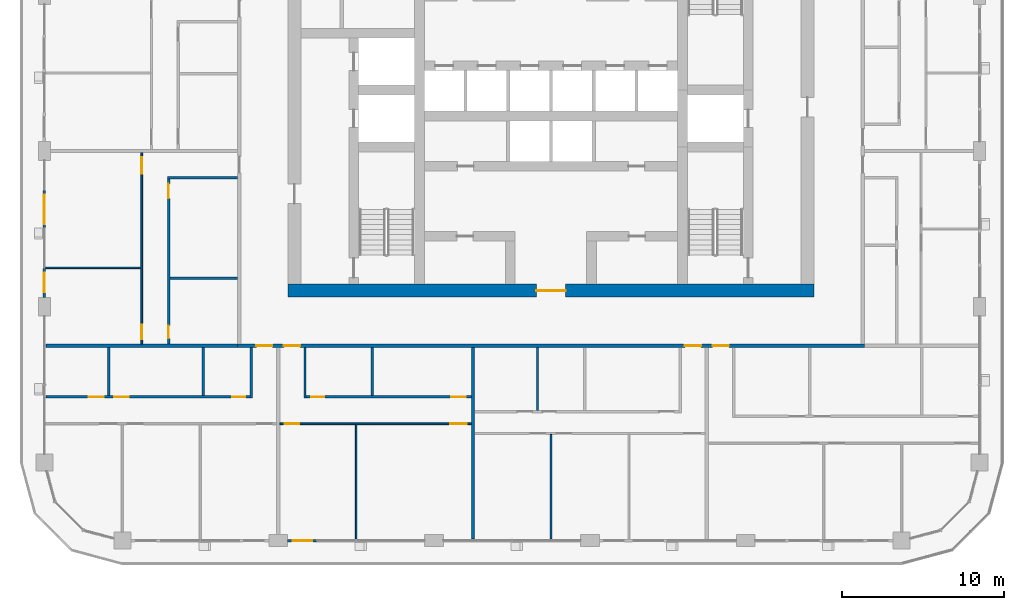
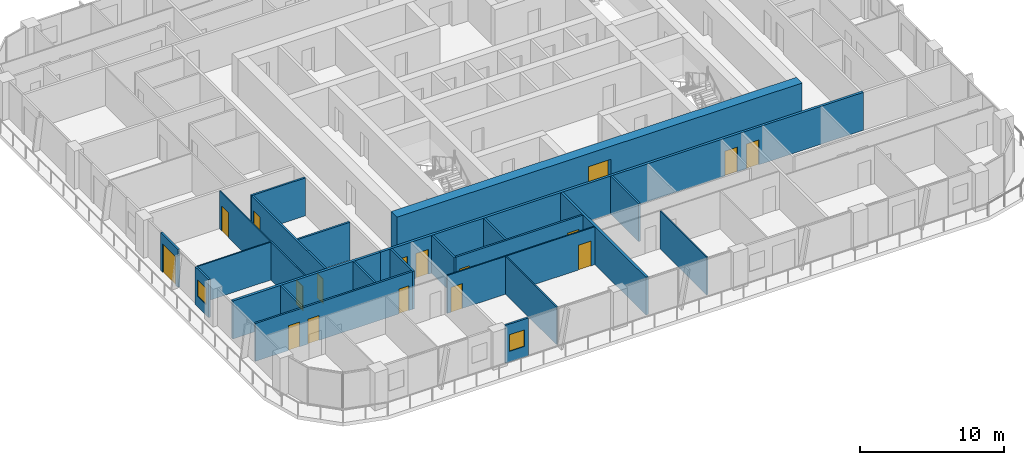
# One storey, part 9 of 22: 23 walls, 17 doors, 2 windows, 19 openings.
"""IFC4 building model written with IfcOpenShell, lengths in metres."""

from ifc_helpers import new_model, si_unit, direction, frame, frame_2d, origin, place, context, subcontext, project, spatial, rectangle, extrude, material, layer, layer_set, type_object, element, fill, save


model = new_model("IFC4")

# Units and contexts
model_context = context("Model", 3, precision=1e-05, world=origin(), true_north=direction((0.0, 1.0)))
body_context = subcontext(model_context, "Body", "Model", "MODEL_VIEW")
ifc_project = project(units=[si_unit("LENGTHUNIT", "METRE"), si_unit("AREAUNIT", "SQUARE_METRE"), si_unit("VOLUMEUNIT", "CUBIC_METRE"), si_unit("PLANEANGLEUNIT", "RADIAN"), si_unit("MASSUNIT", "GRAM", prefix="KILO")], contexts=[model_context])

# Site, building, storey
site_placement = place(None, origin())
site = spatial("IfcSite", under=ifc_project, at=site_placement, CompositionType="ELEMENT")
building_placement = place(site_placement, origin())
building = spatial("IfcBuilding", under=site, at=building_placement, Name="Madar Terraces", CompositionType="ELEMENT")
storey_placement = place(building_placement, frame((0.0, 0.0, 152.5)))
storey = spatial("IfcBuildingStorey", under=building, at=storey_placement, Name="L39", CompositionType="ELEMENT", Elevation=152.5)

# Wall, opening, door
ifc_material_1 = material(Name="Concrete C70/85", Category="concrete")
ifc_layer_1 = layer(ifc_material_1, 0.800048828125)
ifc_layer_set_1 = layer_set([ifc_layer_1], Name="Concrete C70/85 (CRW3 RC wall 800)")
wall_type_1 = type_object("IfcWallType", Name="CRW3 RC wall 800", PredefinedType="SHEAR", material=ifc_layer_set_1)
wall_1_placement = place(storey_placement, frame((15.0, 15.39990234375, 0.0), z_axis=(0.0, 0.0, 1.0), x_axis=(1.0, 0.0, 0.0)))
wall_1 = element("IfcWall", 1, at=wall_1_placement, inside=storey, type_object=wall_type_1, Name="CORE OUTER WALL", PredefinedType="SHEAR", context=body_context, shape_type="SweptSolid", body=[
    extrude(rectangle(XDim=32.39990234375, YDim=0.800048828125, at=frame_2d((16.199951171875, 0.0))), origin(), (0.0, 0.0, 1.0), 3.199951171875),
])
opening_1_placement = place(wall_1_placement, frame((15.300048828125, 0.0, 0.0)))
opening_1 = element("IfcOpeningElement", 2, at=opening_1_placement, cuts=wall_1, Name="Opening KD1", PredefinedType="OPENING", context=body_context, shape_type="SweptSolid", body=[
    extrude(rectangle(XDim=1.800048828125, YDim=2.10009765625, at=frame_2d((0.89990234375, 1.050048828125))), frame((0.0, 0.409912109375, 0.0), z_axis=(0.0, -1.0, 0.0), x_axis=(1.0, 0.0, 0.0)), (0.0, 0.0, 1.0), 0.820068359375),
])
ifc_material_2 = material(Name="Steel door leaf", Category="steel")
door_type_1 = type_object("IfcDoorType", Name="Lobby door pair 1800 x 2100", OperationType="DOUBLE_DOOR_SINGLE_SWING", PredefinedType="DOOR", material=ifc_material_2)
door_1_placement = place(opening_1_placement, frame((1.800048828125, 0.0, 0.0), z_axis=(0.0, 0.0, 1.0), x_axis=(-1.0, 0.0, 0.0)))
door_1 = element("IfcDoor", 3, at=door_1_placement, inside=storey, type_object=door_type_1, Name="LIFT LOBBY DOOR", OperationType="DOUBLE_DOOR_SINGLE_SWING", OverallHeight=2.10009765625, OverallWidth=1.800048828125, PredefinedType="DOOR", context=body_context, shape_type="SweptSolid", body=[
    extrude(rectangle(XDim=1.800048828125, YDim=2.10009765625, at=frame_2d((0.89990234375, 1.050048828125))), frame((0.0, 0.02490234375, 0.0), z_axis=(0.0, -1.0, 0.0), x_axis=(1.0, 0.0, 0.0)), (0.0, 0.0, 1.0), 0.050048828125),
])
fill(opening_1, door_1)

# Wall, opening, window
ifc_material_3 = material(Name="Aluminium composite panel, black, over insulated backing", Category="aluminium")
ifc_layer_2 = layer(ifc_material_3, 0.14990234375)
ifc_layer_set_2 = layer_set([ifc_layer_2], Name="Facade bay panel 150")
wall_type_2 = type_object("IfcWallType", Name="Facade bay panel 150", PredefinedType="SOLIDWALL", material=ifc_layer_set_2)
wall_2_placement = place(storey_placement, frame((14.97509765625, 0.0, 0.0), z_axis=(0.0, 0.0, 1.0), x_axis=(1.0, 0.0, 0.0)))
wall_2 = element("IfcWall", 4, at=wall_2_placement, inside=storey, type_object=wall_type_2, Name="Facade bay panel", PredefinedType="SOLIDWALL", context=body_context, shape_type="SweptSolid", body=[
    extrude(rectangle(XDim=1.824951171875, YDim=0.14990234375, at=frame_2d((0.91259765625, 0.0))), origin(), (0.0, 0.0, 1.0), 3.199951171875),
])
opening_2_placement = place(wall_2_placement, frame((0.3125, 0.0, 0.89990234375)))
opening_2 = element("IfcOpeningElement", 5, at=opening_2_placement, cuts=wall_2, Name="Opening W1", PredefinedType="OPENING", context=body_context, shape_type="SweptSolid", body=[
    extrude(rectangle(XDim=1.199951171875, YDim=1.39990234375, at=frame_2d((0.60009765625, 0.699951171875))), frame((0.0, 0.0849609375, 0.0), z_axis=(0.0, -1.0, 0.0), x_axis=(1.0, 0.0, 0.0)), (0.0, 0.0, 1.0), 0.169921875),
])
ifc_material_4 = material(Name="Glass, clear, with black aluminium frame", Category="aluminium")
window_type = type_object("IfcWindowType", Name="Vent window 1200 x 1400", PartitioningType="SINGLE_PANEL", PredefinedType="WINDOW", material=ifc_material_4)
window_1_placement = place(opening_2_placement, origin())
window_1 = element("IfcWindow", 6, at=window_1_placement, inside=storey, type_object=window_type, Name="Operable vent window", OverallHeight=1.39990234375, OverallWidth=1.199951171875, PartitioningType="SINGLE_PANEL", PredefinedType="WINDOW", context=body_context, shape_type="SweptSolid", body=[
    extrude(rectangle(XDim=1.199951171875, YDim=1.39990234375, at=frame_2d((0.60009765625, 0.699951171875))), frame((0.0, 0.030029296875, 0.0), z_axis=(0.0, -1.0, 0.0), x_axis=(1.0, 0.0, 0.0)), (0.0, 0.0, 1.0), 0.06005859375),
])
fill(opening_2, window_1)

# Wall, opening, door
wall_3_placement = place(storey_placement, frame((0.0, 21.60009765625, 0.0), z_axis=(0.0, 0.0, 1.0), x_axis=(0.0, -1.0, 0.0)))
wall_3 = element("IfcWall", 7, at=wall_3_placement, inside=storey, type_object=wall_type_2, Name="Facade bay panel", PredefinedType="SOLIDWALL", context=body_context, shape_type="SweptSolid", body=[
    extrude(rectangle(XDim=2.400146484375, YDim=0.14990234375, at=frame_2d((1.2001953125, 0.0))), origin(), (0.0, 0.0, 1.0), 3.199951171875),
])
opening_3_placement = place(wall_3_placement, frame((0.300048828125, 0.0, 0.0)))
opening_3 = element("IfcOpeningElement", 8, at=opening_3_placement, cuts=wall_3, Name="Opening ED1", PredefinedType="OPENING", context=body_context, shape_type="SweptSolid", body=[
    extrude(rectangle(XDim=1.800048828125, YDim=2.39990234375, at=frame_2d((0.89990234375, 1.199951171875))), frame((0.0, 0.0849609375, 0.0), z_axis=(0.0, -1.0, 0.0), x_axis=(1.0, 0.0, 0.0)), (0.0, 0.0, 1.0), 0.169921875),
])
ifc_material_5 = material(Name="Glass, clear, with black aluminium frame", Category="aluminium")
door_type_2 = type_object("IfcDoorType", Name="Balcony and terrace sliding door 1800 x 2400", OperationType="SLIDING_TO_LEFT", PredefinedType="DOOR", material=ifc_material_5)
door_2_placement = place(opening_3_placement, origin())
door_2 = element("IfcDoor", 9, at=door_2_placement, inside=storey, type_object=door_type_2, Name="Balcony door", OperationType="SLIDING_TO_LEFT", OverallHeight=2.39990234375, OverallWidth=1.800048828125, PredefinedType="DOOR", context=body_context, shape_type="SweptSolid", body=[
    extrude(rectangle(XDim=1.800048828125, YDim=2.39990234375, at=frame_2d((0.89990234375, 1.199951171875))), frame((0.0, 0.02490234375, 0.0), z_axis=(0.0, -1.0, 0.0), x_axis=(1.0, 0.0, 0.0)), (0.0, 0.0, 1.0), 0.050048828125),
])
fill(opening_3, door_2)

# Wall, opening, window
wall_4_placement = place(storey_placement, frame((0.0, 16.800048828125, 0.0), z_axis=(0.0, 0.0, 1.0), x_axis=(0.0, -1.0, 0.0)))
wall_4 = element("IfcWall", 10, at=wall_4_placement, inside=storey, type_object=wall_type_2, Name="Facade bay panel", PredefinedType="SOLIDWALL", context=body_context, shape_type="SweptSolid", body=[
    extrude(rectangle(XDim=1.824951171875, YDim=0.14990234375, at=frame_2d((0.91259765625, 0.0))), origin(), (0.0, 0.0, 1.0), 3.199951171875),
])
opening_4_placement = place(wall_4_placement, frame((0.3125, 0.0, 0.89990234375)))
opening_4 = element("IfcOpeningElement", 11, at=opening_4_placement, cuts=wall_4, Name="Opening W1", PredefinedType="OPENING", context=body_context, shape_type="SweptSolid", body=[
    extrude(rectangle(XDim=1.199951171875, YDim=1.39990234375, at=frame_2d((0.60009765625, 0.699951171875))), frame((0.0, 0.0849609375, 0.0), z_axis=(0.0, -1.0, 0.0), x_axis=(1.0, 0.0, 0.0)), (0.0, 0.0, 1.0), 0.169921875),
])
window_2_placement = place(opening_4_placement, origin())
window_2 = element("IfcWindow", 12, at=window_2_placement, inside=storey, type_object=window_type, Name="Operable vent window", OverallHeight=1.39990234375, OverallWidth=1.199951171875, PartitioningType="SINGLE_PANEL", PredefinedType="WINDOW", context=body_context, shape_type="SweptSolid", body=[
    extrude(rectangle(XDim=1.199951171875, YDim=1.39990234375, at=frame_2d((0.60009765625, 0.699951171875))), frame((0.0, 0.030029296875, 0.0), z_axis=(0.0, -1.0, 0.0), x_axis=(1.0, 0.0, 0.0)), (0.0, 0.0, 1.0), 0.06005859375),
])
fill(opening_4, window_2)

# Wall
ifc_material_6 = material(Name="Gypsum board on steel studs", Category="steel")
ifc_layer_3 = layer(ifc_material_6, 0.10009765625)
ifc_layer_set_3 = layer_set([ifc_layer_3], Name="Flat partition 100")
wall_type_3 = type_object("IfcWallType", Name="Flat partition 100", PredefinedType="PARTITIONING", material=ifc_layer_set_3)
wall_5_placement = place(storey_placement, frame((19.199951171875, 7.14990234375, 0.0), z_axis=(0.0, 0.0, 1.0), x_axis=(0.0, -1.0, 0.0)))
element("IfcWall", 13, at=wall_5_placement, inside=storey, type_object=wall_type_3, Name="Flat partition 100", PredefinedType="PARTITIONING", context=body_context, shape_type="SweptSolid", body=[
    extrude(rectangle(XDim=7.0498046875, YDim=0.10009765625, at=frame_2d((3.52490234375, 0.0))), origin(), (0.0, 0.0, 1.0), 3.199951171875),
])

# Wall, openings, doors
wall_6_placement = place(storey_placement, frame((26.300048828125, 7.199951171875, 0.0), z_axis=(0.0, 0.0, 1.0), x_axis=(-1.0, 0.0, 0.0)))
wall_6 = element("IfcWall", 14, at=wall_6_placement, inside=storey, type_object=wall_type_3, Name="Flat partition 100", PredefinedType="PARTITIONING", context=body_context, shape_type="SweptSolid", body=[
    extrude(rectangle(XDim=11.800048828125, YDim=0.10009765625, at=frame_2d((5.89990234375, 0.0))), origin(), (0.0, 0.0, 1.0), 3.199951171875),
])
opening_5_placement = place(wall_6_placement, frame((10.60009765625, 0.0, 0.0)))
opening_5 = element("IfcOpeningElement", 15, at=opening_5_placement, cuts=wall_6, Name="Opening D2", PredefinedType="OPENING", context=body_context, shape_type="SweptSolid", body=[
    extrude(rectangle(XDim=0.89990234375, YDim=2.10009765625, at=frame_2d((0.449951171875, 1.050048828125))), frame((0.0, 0.06005859375, 0.0), z_axis=(0.0, -1.0, 0.0), x_axis=(1.0, 0.0, 0.0)), (0.0, 0.0, 1.0), 0.1201171875),
])
opening_6_placement = place(wall_6_placement, frame((0.300048828125, 0.0, 0.0)))
opening_6 = element("IfcOpeningElement", 16, at=opening_6_placement, cuts=wall_6, Name="Opening D3", PredefinedType="OPENING", context=body_context, shape_type="SweptSolid", body=[
    extrude(rectangle(XDim=1.0, YDim=2.10009765625, at=frame_2d((0.5, 1.050048828125))), frame((0.0, 0.06005859375, 0.0), z_axis=(0.0, -1.0, 0.0), x_axis=(1.0, 0.0, 0.0)), (0.0, 0.0, 1.0), 0.1201171875),
])
ifc_material_7 = material(Name="Timber door leaf", Category="wood")
door_type_3 = type_object("IfcDoorType", Name="Flat living room door 1000", OperationType="NOTDEFINED", PredefinedType="DOOR", material=ifc_material_7)
door_3_placement = place(opening_6_placement, origin())
door_3 = element("IfcDoor", 17, at=door_3_placement, inside=storey, type_object=door_type_3, Name="Flat living room door 1000", OperationType="SINGLE_SWING_LEFT", OverallHeight=2.10009765625, OverallWidth=1.0, PredefinedType="DOOR", context=body_context, shape_type="SweptSolid", body=[
    extrude(rectangle(XDim=1.0, YDim=2.10009765625, at=frame_2d((0.5, 1.050048828125))), frame((0.0, 0.02490234375, 0.0), z_axis=(0.0, -1.0, 0.0), x_axis=(1.0, 0.0, 0.0)), (0.0, 0.0, 1.0), 0.050048828125),
])
fill(opening_6, door_3)
ifc_material_8 = material(Name="Timber door leaf", Category="wood")
door_type_4 = type_object("IfcDoorType", Name="Flat room door 900", OperationType="NOTDEFINED", PredefinedType="DOOR", material=ifc_material_8)
door_4_placement = place(opening_5_placement, origin())
door_4 = element("IfcDoor", 18, at=door_4_placement, inside=storey, type_object=door_type_4, Name="Flat room door 900", OperationType="SINGLE_SWING_RIGHT", OverallHeight=2.10009765625, OverallWidth=0.89990234375, PredefinedType="DOOR", context=body_context, shape_type="SweptSolid", body=[
    extrude(rectangle(XDim=0.89990234375, YDim=2.10009765625, at=frame_2d((0.449951171875, 1.050048828125))), frame((0.0, 0.02490234375, 0.0), z_axis=(0.0, -1.0, 0.0), x_axis=(1.0, 0.0, 0.0)), (0.0, 0.0, 1.0), 0.050048828125),
])
fill(opening_5, door_4)

# Walls
wall_7_placement = place(storey_placement, frame((31.199951171875, 6.550048828125, 0.0), z_axis=(0.0, 0.0, 1.0), x_axis=(0.0, -1.0, 0.0)))
element("IfcWall", 19, at=wall_7_placement, inside=storey, type_object=wall_type_3, Name="Flat partition 100", PredefinedType="PARTITIONING", context=body_context, shape_type="SweptSolid", body=[
    extrude(rectangle(XDim=6.449951171875, YDim=0.10009765625, at=frame_2d((3.22509765625, 0.0))), origin(), (0.0, 0.0, 1.0), 3.199951171875),
])
wall_8_placement = place(storey_placement, frame((5.949951171875, 16.800048828125, 0.0), z_axis=(0.0, 0.0, 1.0), x_axis=(-1.0, 0.0, 0.0)))
element("IfcWall", 20, at=wall_8_placement, inside=storey, type_object=wall_type_3, Name="Flat partition 100", PredefinedType="PARTITIONING", context=body_context, shape_type="SweptSolid", body=[
    extrude(rectangle(XDim=5.849853515625, YDim=0.10009765625, at=frame_2d((2.9248046875, 0.0))), origin(), (0.0, 0.0, 1.0), 3.199951171875),
])

# Wall, openings, doors
wall_9_placement = place(storey_placement, frame((6.0, 12.10009765625, 0.0), z_axis=(0.0, 0.0, 1.0), x_axis=(0.0, 1.0, 0.0)))
wall_9 = element("IfcWall", 21, at=wall_9_placement, inside=storey, type_object=wall_type_3, Name="Flat partition 100", PredefinedType="PARTITIONING", context=body_context, shape_type="SweptSolid", body=[
    extrude(rectangle(XDim=11.7998046875, YDim=0.10009765625, at=frame_2d((5.89990234375, 0.0))), origin(), (0.0, 0.0, 1.0), 3.199951171875),
])
opening_7_placement = place(wall_9_placement, frame((10.5, 0.0, 0.0)))
opening_7 = element("IfcOpeningElement", 22, at=opening_7_placement, cuts=wall_9, Name="Opening D3", PredefinedType="OPENING", context=body_context, shape_type="SweptSolid", body=[
    extrude(rectangle(XDim=1.0, YDim=2.10009765625, at=frame_2d((0.5, 1.050048828125))), frame((0.0, 0.06005859375, 0.0), z_axis=(0.0, -1.0, 0.0), x_axis=(1.0, 0.0, 0.0)), (0.0, 0.0, 1.0), 0.1201171875),
])
opening_8_placement = place(wall_9_placement, frame((0.300048828125, 0.0, 0.0)))
opening_8 = element("IfcOpeningElement", 23, at=opening_8_placement, cuts=wall_9, Name="Opening D2", PredefinedType="OPENING", context=body_context, shape_type="SweptSolid", body=[
    extrude(rectangle(XDim=0.89990234375, YDim=2.10009765625, at=frame_2d((0.449951171875, 1.050048828125))), frame((0.0, 0.06005859375, 0.0), z_axis=(0.0, -1.0, 0.0), x_axis=(1.0, 0.0, 0.0)), (0.0, 0.0, 1.0), 0.1201171875),
])
door_5_placement = place(opening_7_placement, origin())
door_5 = element("IfcDoor", 24, at=door_5_placement, inside=storey, type_object=door_type_3, Name="Flat living room door 1000", OperationType="SINGLE_SWING_RIGHT", OverallHeight=2.10009765625, OverallWidth=1.0, PredefinedType="DOOR", context=body_context, shape_type="SweptSolid", body=[
    extrude(rectangle(XDim=1.0, YDim=2.10009765625, at=frame_2d((0.5, 1.050048828125))), frame((0.0, 0.02490234375, 0.0), z_axis=(0.0, -1.0, 0.0), x_axis=(1.0, 0.0, 0.0)), (0.0, 0.0, 1.0), 0.050048828125),
])
fill(opening_7, door_5)
door_6_placement = place(opening_8_placement, origin())
door_6 = element("IfcDoor", 25, at=door_6_placement, inside=storey, type_object=door_type_4, Name="Flat room door 900", OperationType="SINGLE_SWING_LEFT", OverallHeight=2.10009765625, OverallWidth=0.89990234375, PredefinedType="DOOR", context=body_context, shape_type="SweptSolid", body=[
    extrude(rectangle(XDim=0.89990234375, YDim=2.10009765625, at=frame_2d((0.449951171875, 1.050048828125))), frame((0.0, 0.02490234375, 0.0), z_axis=(0.0, -1.0, 0.0), x_axis=(1.0, 0.0, 0.0)), (0.0, 0.0, 1.0), 0.050048828125),
])
fill(opening_8, door_6)

ifc_material_9 = material(Name="Lightweight blockwork", Category="masonry")
ifc_layer_4 = layer(ifc_material_9, 0.199951171875)
ifc_layer_set_4 = layer_set([ifc_layer_4], Name="Flat party and entrance wall 200")
wall_type_4 = type_object("IfcWallType", Name="Flat party and entrance wall 200", PredefinedType="PARTITIONING", material=ifc_layer_set_4)
wall_10_placement = place(storey_placement, frame((50.5, 12.0, 0.0), z_axis=(0.0, 0.0, 1.0), x_axis=(-1.0, 0.0, 0.0)))
wall_10 = element("IfcWall", 26, at=wall_10_placement, inside=storey, type_object=wall_type_4, Name="Flat party and entrance wall 200", PredefinedType="PARTITIONING", context=body_context, shape_type="SweptSolid", body=[
    extrude(rectangle(XDim=38.60009765625, YDim=0.199951171875, at=frame_2d((19.300048828125, 0.0))), origin(), (0.0, 0.0, 1.0), 3.199951171875),
])
opening_9_placement = place(wall_10_placement, frame((36.449951171875, 0.0, 0.0)))
opening_9 = element("IfcOpeningElement", 27, at=opening_9_placement, cuts=wall_10, Name="Opening D1", PredefinedType="OPENING", context=body_context, shape_type="SweptSolid", body=[
    extrude(rectangle(XDim=1.0, YDim=2.10009765625, at=frame_2d((0.5, 1.050048828125))), frame((0.0, 0.10986328125, 0.0), z_axis=(0.0, -1.0, 0.0), x_axis=(1.0, 0.0, 0.0)), (0.0, 0.0, 1.0), 0.219970703125),
])
opening_10_placement = place(wall_10_placement, frame((34.75, 0.0, 0.0)))
opening_10 = element("IfcOpeningElement", 28, at=opening_10_placement, cuts=wall_10, Name="Opening D1", PredefinedType="OPENING", context=body_context, shape_type="SweptSolid", body=[
    extrude(rectangle(XDim=1.0, YDim=2.10009765625, at=frame_2d((0.5, 1.050048828125))), frame((0.0, 0.10986328125, 0.0), z_axis=(0.0, -1.0, 0.0), x_axis=(1.0, 0.0, 0.0)), (0.0, 0.0, 1.0), 0.219970703125),
])
opening_11_placement = place(wall_10_placement, frame((10.050048828125, 0.0, 0.0)))
opening_11 = element("IfcOpeningElement", 29, at=opening_11_placement, cuts=wall_10, Name="Opening D1", PredefinedType="OPENING", context=body_context, shape_type="SweptSolid", body=[
    extrude(rectangle(XDim=1.0, YDim=2.10009765625, at=frame_2d((0.5, 1.050048828125))), frame((0.0, 0.10986328125, 0.0), z_axis=(0.0, -1.0, 0.0), x_axis=(1.0, 0.0, 0.0)), (0.0, 0.0, 1.0), 0.219970703125),
])
opening_12_placement = place(wall_10_placement, frame((8.35009765625, 0.0, 0.0)))
opening_12 = element("IfcOpeningElement", 30, at=opening_12_placement, cuts=wall_10, Name="Opening D1", PredefinedType="OPENING", context=body_context, shape_type="SweptSolid", body=[
    extrude(rectangle(XDim=1.0, YDim=2.10009765625, at=frame_2d((0.5, 1.050048828125))), frame((0.0, 0.10986328125, 0.0), z_axis=(0.0, -1.0, 0.0), x_axis=(1.0, 0.0, 0.0)), (0.0, 0.0, 1.0), 0.219970703125),
])
ifc_material_10 = material(Name="Timber fire door leaf", Category="wood")
door_type_5 = type_object("IfcDoorType", Name="Flat entrance door 1000 FD30S", OperationType="NOTDEFINED", PredefinedType="DOOR", material=ifc_material_10)
door_7_placement = place(opening_9_placement, origin())
door_7 = element("IfcDoor", 31, at=door_7_placement, inside=storey, type_object=door_type_5, Name="Flat entrance door 1000 FD30S", OperationType="SINGLE_SWING_LEFT", OverallHeight=2.10009765625, OverallWidth=1.0, PredefinedType="DOOR", context=body_context, shape_type="SweptSolid", body=[
    extrude(rectangle(XDim=1.0, YDim=2.10009765625, at=frame_2d((0.5, 1.050048828125))), frame((0.0, 0.02490234375, 0.0), z_axis=(0.0, -1.0, 0.0), x_axis=(1.0, 0.0, 0.0)), (0.0, 0.0, 1.0), 0.050048828125),
])
fill(opening_9, door_7)
door_8_placement = place(opening_10_placement, origin())
door_8 = element("IfcDoor", 32, at=door_8_placement, inside=storey, type_object=door_type_5, Name="Flat entrance door 1000 FD30S", OperationType="SINGLE_SWING_RIGHT", OverallHeight=2.10009765625, OverallWidth=1.0, PredefinedType="DOOR", context=body_context, shape_type="SweptSolid", body=[
    extrude(rectangle(XDim=1.0, YDim=2.10009765625, at=frame_2d((0.5, 1.050048828125))), frame((0.0, 0.02490234375, 0.0), z_axis=(0.0, -1.0, 0.0), x_axis=(1.0, 0.0, 0.0)), (0.0, 0.0, 1.0), 0.050048828125),
])
fill(opening_10, door_8)
door_9_placement = place(opening_11_placement, origin())
door_9 = element("IfcDoor", 33, at=door_9_placement, inside=storey, type_object=door_type_5, Name="Flat entrance door 1000 FD30S", OperationType="SINGLE_SWING_LEFT", OverallHeight=2.10009765625, OverallWidth=1.0, PredefinedType="DOOR", context=body_context, shape_type="SweptSolid", body=[
    extrude(rectangle(XDim=1.0, YDim=2.10009765625, at=frame_2d((0.5, 1.050048828125))), frame((0.0, 0.02490234375, 0.0), z_axis=(0.0, -1.0, 0.0), x_axis=(1.0, 0.0, 0.0)), (0.0, 0.0, 1.0), 0.050048828125),
])
fill(opening_11, door_9)
door_10_placement = place(opening_12_placement, origin())
door_10 = element("IfcDoor", 34, at=door_10_placement, inside=storey, type_object=door_type_5, Name="Flat entrance door 1000 FD30S", OperationType="SINGLE_SWING_RIGHT", OverallHeight=2.10009765625, OverallWidth=1.0, PredefinedType="DOOR", context=body_context, shape_type="SweptSolid", body=[
    extrude(rectangle(XDim=1.0, YDim=2.10009765625, at=frame_2d((0.5, 1.050048828125))), frame((0.0, 0.02490234375, 0.0), z_axis=(0.0, -1.0, 0.0), x_axis=(1.0, 0.0, 0.0)), (0.0, 0.0, 1.0), 0.050048828125),
])
fill(opening_12, door_10)

# Walls
for number, where, z_axis, x_axis, name in (
    (35, (0.10009765625, 12.0, 0.0), (0.0, 0.0, 1.0), (1.0, 0.0, 0.0), "Flat party and entrance wall 200"),
    (36, (26.39990234375, 11.89990234375, 0.0), (0.0, 0.0, 1.0), (0.0, -1.0, 0.0), "Flat party and entrance wall 200"),
):
    element("IfcWall", number, at=place(storey_placement, frame(where, z_axis=z_axis, x_axis=x_axis)), inside=storey, type_object=wall_type_4, Name=name, PredefinedType="PARTITIONING", context=body_context, shape_type="SweptSolid", body=[
        extrude(rectangle(XDim=11.7998046875, YDim=0.199951171875, at=frame_2d((5.89990234375, 0.0))), origin(), (0.0, 0.0, 1.0), 3.199951171875),
    ])
ifc_material_11 = material(Name="Lightweight blockwork", Category="masonry")
ifc_layer_5 = layer(ifc_material_11, 0.14990234375)
ifc_layer_set_5 = layer_set([ifc_layer_5], Name="Flat wet-room partition 150")
wall_type_5 = type_object("IfcWallType", Name="Flat wet-room partition 150", PredefinedType="PARTITIONING", material=ifc_layer_set_5)
for number, where, z_axis, x_axis, name in (
    (37, (9.773193359375, 11.89990234375, 0.0), (0.0, 0.0, 1.0), (0.0, -1.0, 0.0), "Flat wet-room partition 150"),
    (38, (3.96923828125, 11.89990234375, 0.0), (0.0, 0.0, 1.0), (0.0, -1.0, 0.0), "Flat wet-room partition 150"),
):
    element("IfcWall", number, at=place(storey_placement, frame(where, z_axis=z_axis, x_axis=x_axis)), inside=storey, type_object=wall_type_5, Name=name, PredefinedType="PARTITIONING", context=body_context, shape_type="SweptSolid", body=[
        extrude(rectangle(XDim=2.974853515625, YDim=0.14990234375, at=frame_2d((1.4873046875, 0.0))), origin(), (0.0, 0.0, 1.0), 3.199951171875),
    ])
wall_11_placement = place(storey_placement, frame((12.75, 11.89990234375, 0.0), z_axis=(0.0, 0.0, 1.0), x_axis=(0.0, -1.0, 0.0)))
element("IfcWall", 39, at=wall_11_placement, inside=storey, type_object=wall_type_5, Name="Flat wet-room partition 150", PredefinedType="PARTITIONING", context=body_context, shape_type="SweptSolid", body=[
    extrude(rectangle(XDim=3.125, YDim=0.14990234375, at=frame_2d((1.5625, 0.0))), origin(), (0.0, 0.0, 1.0), 3.199951171875),
])

# Wall, openings, doors
wall_12_placement = place(storey_placement, frame((0.10009765625, 8.85009765625, 0.0), z_axis=(0.0, 0.0, 1.0), x_axis=(1.0, 0.0, 0.0)))
wall_12 = element("IfcWall", 40, at=wall_12_placement, inside=storey, type_object=wall_type_5, Name="Flat wet-room partition 150", PredefinedType="PARTITIONING", context=body_context, shape_type="SweptSolid", body=[
    extrude(rectangle(XDim=12.574951171875, YDim=0.14990234375, at=frame_2d((6.28759765625, 0.0))), origin(), (0.0, 0.0, 1.0), 3.199951171875),
])
opening_13_placement = place(wall_12_placement, frame((11.47509765625, 0.0, 0.0)))
opening_13 = element("IfcOpeningElement", 41, at=opening_13_placement, cuts=wall_12, Name="Opening D4", PredefinedType="OPENING", context=body_context, shape_type="SweptSolid", body=[
    extrude(rectangle(XDim=0.800048828125, YDim=2.10009765625, at=frame_2d((0.39990234375, 1.050048828125))), frame((0.0, 0.0849609375, 0.0), z_axis=(0.0, -1.0, 0.0), x_axis=(1.0, 0.0, 0.0)), (0.0, 0.0, 1.0), 0.169921875),
])
opening_14_placement = place(wall_12_placement, frame((4.1943359375, 0.0, 0.0)))
opening_14 = element("IfcOpeningElement", 42, at=opening_14_placement, cuts=wall_12, Name="Opening D2", PredefinedType="OPENING", context=body_context, shape_type="SweptSolid", body=[
    extrude(rectangle(XDim=0.89990234375, YDim=2.10009765625, at=frame_2d((0.449951171875, 1.050048828125))), frame((0.0, 0.0849609375, 0.0), z_axis=(0.0, -1.0, 0.0), x_axis=(1.0, 0.0, 0.0)), (0.0, 0.0, 1.0), 0.169921875),
])
opening_15_placement = place(wall_12_placement, frame((2.644287109375, 0.0, 0.0)))
opening_15 = element("IfcOpeningElement", 43, at=opening_15_placement, cuts=wall_12, Name="Opening D5", PredefinedType="OPENING", context=body_context, shape_type="SweptSolid", body=[
    extrude(rectangle(XDim=0.89990234375, YDim=2.10009765625, at=frame_2d((0.449951171875, 1.050048828125))), frame((0.0, 0.0849609375, 0.0), z_axis=(0.0, -1.0, 0.0), x_axis=(1.0, 0.0, 0.0)), (0.0, 0.0, 1.0), 0.169921875),
])
ifc_material_12 = material(Name="Timber door leaf", Category="wood")
door_type_6 = type_object("IfcDoorType", Name="Flat accessible bathroom door 900", OperationType="NOTDEFINED", PredefinedType="DOOR", material=ifc_material_12)
door_11_placement = place(opening_15_placement, origin())
door_11 = element("IfcDoor", 44, at=door_11_placement, inside=storey, type_object=door_type_6, Name="Flat accessible bathroom door 900", OperationType="SINGLE_SWING_RIGHT", OverallHeight=2.10009765625, OverallWidth=0.89990234375, PredefinedType="DOOR", context=body_context, shape_type="SweptSolid", body=[
    extrude(rectangle(XDim=0.89990234375, YDim=2.10009765625, at=frame_2d((0.449951171875, 1.050048828125))), frame((0.0, 0.02490234375, 0.0), z_axis=(0.0, -1.0, 0.0), x_axis=(1.0, 0.0, 0.0)), (0.0, 0.0, 1.0), 0.050048828125),
])
fill(opening_15, door_11)
ifc_material_13 = material(Name="Timber door leaf", Category="wood")
door_type_7 = type_object("IfcDoorType", Name="Flat bathroom door 800", OperationType="NOTDEFINED", PredefinedType="DOOR", material=ifc_material_13)
door_12_placement = place(opening_13_placement, origin())
door_12 = element("IfcDoor", 45, at=door_12_placement, inside=storey, type_object=door_type_7, Name="Flat bathroom door 800", OperationType="SINGLE_SWING_RIGHT", OverallHeight=2.10009765625, OverallWidth=0.800048828125, PredefinedType="DOOR", context=body_context, shape_type="SweptSolid", body=[
    extrude(rectangle(XDim=0.800048828125, YDim=2.10009765625, at=frame_2d((0.39990234375, 1.050048828125))), frame((0.0, 0.02490234375, 0.0), z_axis=(0.0, -1.0, 0.0), x_axis=(1.0, 0.0, 0.0)), (0.0, 0.0, 1.0), 0.050048828125),
])
fill(opening_13, door_12)
door_13_placement = place(opening_14_placement, origin())
door_13 = element("IfcDoor", 46, at=door_13_placement, inside=storey, type_object=door_type_4, Name="Flat room door 900", OperationType="SINGLE_SWING_LEFT", OverallHeight=2.10009765625, OverallWidth=0.89990234375, PredefinedType="DOOR", context=body_context, shape_type="SweptSolid", body=[
    extrude(rectangle(XDim=0.89990234375, YDim=2.10009765625, at=frame_2d((0.449951171875, 1.050048828125))), frame((0.0, 0.02490234375, 0.0), z_axis=(0.0, -1.0, 0.0), x_axis=(1.0, 0.0, 0.0)), (0.0, 0.0, 1.0), 0.050048828125),
])
fill(opening_14, door_13)

# Walls
wall_13_placement = place(storey_placement, frame((20.195068359375, 11.89990234375, 0.0), z_axis=(0.0, 0.0, 1.0), x_axis=(0.0, -1.0, 0.0)))
element("IfcWall", 47, at=wall_13_placement, inside=storey, type_object=wall_type_5, Name="Flat wet-room partition 150", PredefinedType="PARTITIONING", context=body_context, shape_type="SweptSolid", body=[
    extrude(rectangle(XDim=2.974853515625, YDim=0.14990234375, at=frame_2d((1.4873046875, 0.0))), origin(), (0.0, 0.0, 1.0), 3.199951171875),
])
wall_14_placement = place(storey_placement, frame((16.050048828125, 11.89990234375, 0.0), z_axis=(0.0, 0.0, 1.0), x_axis=(0.0, -1.0, 0.0)))
element("IfcWall", 48, at=wall_14_placement, inside=storey, type_object=wall_type_5, Name="Flat wet-room partition 150", PredefinedType="PARTITIONING", context=body_context, shape_type="SweptSolid", body=[
    extrude(rectangle(XDim=3.125, YDim=0.14990234375, at=frame_2d((1.5625, 0.0))), origin(), (0.0, 0.0, 1.0), 3.199951171875),
])

# Wall, openings, doors
wall_15_placement = place(storey_placement, frame((16.125, 8.85009765625, 0.0), z_axis=(0.0, 0.0, 1.0), x_axis=(1.0, 0.0, 0.0)))
wall_15 = element("IfcWall", 49, at=wall_15_placement, inside=storey, type_object=wall_type_5, Name="Flat wet-room partition 150", PredefinedType="PARTITIONING", context=body_context, shape_type="SweptSolid", body=[
    extrude(rectangle(XDim=10.175048828125, YDim=0.14990234375, at=frame_2d((5.08740234375, 0.0))), origin(), (0.0, 0.0, 1.0), 3.199951171875),
])
opening_16_placement = place(wall_15_placement, frame((0.300048828125, 0.0, 0.0)))
opening_16 = element("IfcOpeningElement", 50, at=opening_16_placement, cuts=wall_15, Name="Opening D4", PredefinedType="OPENING", context=body_context, shape_type="SweptSolid", body=[
    extrude(rectangle(XDim=0.800048828125, YDim=2.10009765625, at=frame_2d((0.39990234375, 1.050048828125))), frame((0.0, 0.0849609375, 0.0), z_axis=(0.0, -1.0, 0.0), x_axis=(1.0, 0.0, 0.0)), (0.0, 0.0, 1.0), 0.169921875),
])
opening_17_placement = place(wall_15_placement, frame((8.925048828125, 0.0, 0.0)))
opening_17 = element("IfcOpeningElement", 51, at=opening_17_placement, cuts=wall_15, Name="Opening D2", PredefinedType="OPENING", context=body_context, shape_type="SweptSolid", body=[
    extrude(rectangle(XDim=0.89990234375, YDim=2.10009765625, at=frame_2d((0.449951171875, 1.050048828125))), frame((0.0, 0.0849609375, 0.0), z_axis=(0.0, -1.0, 0.0), x_axis=(1.0, 0.0, 0.0)), (0.0, 0.0, 1.0), 0.169921875),
])
door_14_placement = place(opening_16_placement, origin())
door_14 = element("IfcDoor", 52, at=door_14_placement, inside=storey, type_object=door_type_7, Name="Flat bathroom door 800", OperationType="SINGLE_SWING_LEFT", OverallHeight=2.10009765625, OverallWidth=0.800048828125, PredefinedType="DOOR", context=body_context, shape_type="SweptSolid", body=[
    extrude(rectangle(XDim=0.800048828125, YDim=2.10009765625, at=frame_2d((0.39990234375, 1.050048828125))), frame((0.0, 0.02490234375, 0.0), z_axis=(0.0, -1.0, 0.0), x_axis=(1.0, 0.0, 0.0)), (0.0, 0.0, 1.0), 0.050048828125),
])
fill(opening_16, door_14)
door_15_placement = place(opening_17_placement, origin())
door_15 = element("IfcDoor", 53, at=door_15_placement, inside=storey, type_object=door_type_4, Name="Flat room door 900", OperationType="SINGLE_SWING_RIGHT", OverallHeight=2.10009765625, OverallWidth=0.89990234375, PredefinedType="DOOR", context=body_context, shape_type="SweptSolid", body=[
    extrude(rectangle(XDim=0.89990234375, YDim=2.10009765625, at=frame_2d((0.449951171875, 1.050048828125))), frame((0.0, 0.02490234375, 0.0), z_axis=(0.0, -1.0, 0.0), x_axis=(1.0, 0.0, 0.0)), (0.0, 0.0, 1.0), 0.050048828125),
])
fill(opening_17, door_15)

# Walls
wall_16_placement = place(storey_placement, frame((30.369384765625, 11.89990234375, 0.0), z_axis=(0.0, 0.0, 1.0), x_axis=(0.0, -1.0, 0.0)))
element("IfcWall", 54, at=wall_16_placement, inside=storey, type_object=wall_type_5, Name="Flat wet-room partition 150", PredefinedType="PARTITIONING", context=body_context, shape_type="SweptSolid", body=[
    extrude(rectangle(XDim=3.875, YDim=0.14990234375, at=frame_2d((1.9375, 0.0))), origin(), (0.0, 0.0, 1.0), 3.199951171875),
])
wall_17_placement = place(storey_placement, frame((11.89990234375, 16.169921875, 0.0), z_axis=(0.0, 0.0, 1.0), x_axis=(-1.0, 0.0, 0.0)))
element("IfcWall", 55, at=wall_17_placement, inside=storey, type_object=wall_type_5, Name="Flat wet-room partition 150", PredefinedType="PARTITIONING", context=body_context, shape_type="SweptSolid", body=[
    extrude(rectangle(XDim=4.1748046875, YDim=0.14990234375, at=frame_2d((2.08740234375, 0.0))), origin(), (0.0, 0.0, 1.0), 3.199951171875),
])
wall_18_placement = place(storey_placement, frame((11.89990234375, 22.35009765625, 0.0), z_axis=(0.0, 0.0, 1.0), x_axis=(-1.0, 0.0, 0.0)))
element("IfcWall", 56, at=wall_18_placement, inside=storey, type_object=wall_type_5, Name="Flat wet-room partition 150", PredefinedType="PARTITIONING", context=body_context, shape_type="SweptSolid", body=[
    extrude(rectangle(XDim=4.324951171875, YDim=0.14990234375, at=frame_2d((2.16259765625, 0.0))), origin(), (0.0, 0.0, 1.0), 3.199951171875),
])

# Wall, openings, doors
wall_19_placement = place(storey_placement, frame((7.64990234375, 22.27490234375, 0.0), z_axis=(0.0, 0.0, 1.0), x_axis=(0.0, -1.0, 0.0)))
wall_19 = element("IfcWall", 57, at=wall_19_placement, inside=storey, type_object=wall_type_5, Name="Flat wet-room partition 150", PredefinedType="PARTITIONING", context=body_context, shape_type="SweptSolid", body=[
    extrude(rectangle(XDim=10.1748046875, YDim=0.14990234375, at=frame_2d((5.08740234375, 0.0))), origin(), (0.0, 0.0, 1.0), 3.199951171875),
])
opening_18_placement = place(wall_19_placement, frame((0.300048828125, 0.0, 0.0)))
opening_18 = element("IfcOpeningElement", 58, at=opening_18_placement, cuts=wall_19, Name="Opening D2", PredefinedType="OPENING", context=body_context, shape_type="SweptSolid", body=[
    extrude(rectangle(XDim=0.89990234375, YDim=2.10009765625, at=frame_2d((0.449951171875, 1.050048828125))), frame((0.0, 0.0849609375, 0.0), z_axis=(0.0, -1.0, 0.0), x_axis=(1.0, 0.0, 0.0)), (0.0, 0.0, 1.0), 0.169921875),
])
opening_19_placement = place(wall_19_placement, frame((9.02490234375, 0.0, 0.0)))
opening_19 = element("IfcOpeningElement", 59, at=opening_19_placement, cuts=wall_19, Name="Opening D4", PredefinedType="OPENING", context=body_context, shape_type="SweptSolid", body=[
    extrude(rectangle(XDim=0.800048828125, YDim=2.10009765625, at=frame_2d((0.39990234375, 1.050048828125))), frame((0.0, 0.0849609375, 0.0), z_axis=(0.0, -1.0, 0.0), x_axis=(1.0, 0.0, 0.0)), (0.0, 0.0, 1.0), 0.169921875),
])
door_16_placement = place(opening_19_placement, origin())
door_16 = element("IfcDoor", 60, at=door_16_placement, inside=storey, type_object=door_type_7, Name="Flat bathroom door 800", OperationType="SINGLE_SWING_RIGHT", OverallHeight=2.10009765625, OverallWidth=0.800048828125, PredefinedType="DOOR", context=body_context, shape_type="SweptSolid", body=[
    extrude(rectangle(XDim=0.800048828125, YDim=2.10009765625, at=frame_2d((0.39990234375, 1.050048828125))), frame((0.0, 0.02490234375, 0.0), z_axis=(0.0, -1.0, 0.0), x_axis=(1.0, 0.0, 0.0)), (0.0, 0.0, 1.0), 0.050048828125),
])
fill(opening_19, door_16)
door_17_placement = place(opening_18_placement, origin())
door_17 = element("IfcDoor", 61, at=door_17_placement, inside=storey, type_object=door_type_4, Name="Flat room door 900", OperationType="SINGLE_SWING_LEFT", OverallHeight=2.10009765625, OverallWidth=0.89990234375, PredefinedType="DOOR", context=body_context, shape_type="SweptSolid", body=[
    extrude(rectangle(XDim=0.89990234375, YDim=2.10009765625, at=frame_2d((0.449951171875, 1.050048828125))), frame((0.0, 0.02490234375, 0.0), z_axis=(0.0, -1.0, 0.0), x_axis=(1.0, 0.0, 0.0)), (0.0, 0.0, 1.0), 0.050048828125),
])
fill(opening_18, door_17)

save(model, "model.ifc")
